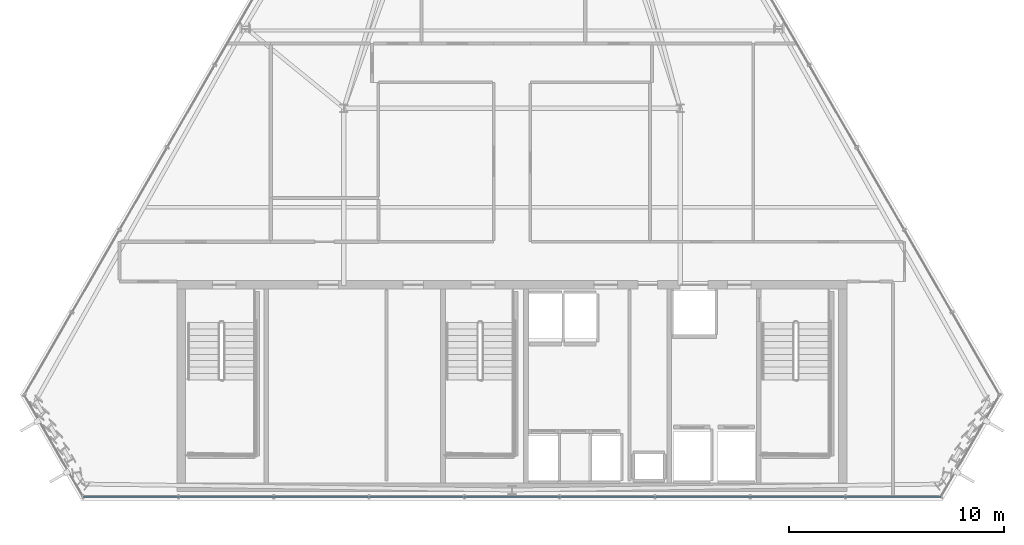
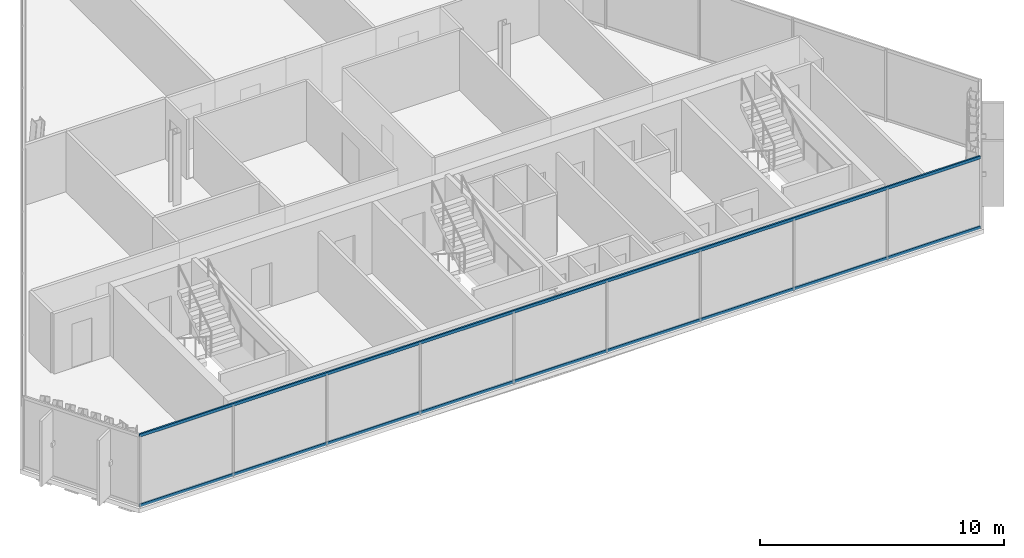
# One storey, part 9 of 34: 2 members, 1 element without a shape of its own.
"""IFC4 building model written with IfcOpenShell, lengths in metres."""

from ifc_helpers import new_model, si_unit, direction, frame, origin, origin_2d, place, context, subcontext, project, spatial, hollow_rectangle, extrude, material, layer, layer_set, material_profile, profile_set, type_object, element, aggregate, save


model = new_model("IFC4")

# Units and contexts
model_context = context("Model", 3, precision=1e-05, world=origin(), true_north=direction((0.0, 1.0)))
body_context = subcontext(model_context, "Body", "Model", "MODEL_VIEW")
ifc_project = project(units=[si_unit("LENGTHUNIT", "METRE"), si_unit("AREAUNIT", "SQUARE_METRE"), si_unit("VOLUMEUNIT", "CUBIC_METRE"), si_unit("PLANEANGLEUNIT", "RADIAN"), si_unit("MASSUNIT", "GRAM", prefix="KILO")], contexts=[model_context])

# Site, building, storey
site_placement = place(None, origin())
site = spatial("IfcSite", under=ifc_project, at=site_placement, CompositionType="ELEMENT")
building_placement = place(site_placement, origin())
building = spatial("IfcBuilding", under=site, at=building_placement, Name="Ndaravel Arena Tower", CompositionType="ELEMENT")
storey_placement = place(building_placement, frame((0.0, 0.0, 267.39990234375)))
storey = spatial("IfcBuildingStorey", under=building, at=storey_placement, Name="L65", CompositionType="ELEMENT", Elevation=267.39990234375)

# Curtain wall, members
ifc_material_1 = material(Name="Aluminium", Category="aluminium")
ifc_layer = layer(ifc_material_1, 0.179931640625)
ifc_layer_set = layer_set([ifc_layer], Name="Aluminium")
curtain_wall_type = type_object("IfcCurtainWallType", Name="CW-SYS-03", PredefinedType="NOTDEFINED", material=ifc_layer_set)
curtain_wall_placement = place(storey_placement, origin())
curtain_wall = element("IfcCurtainWall", 1, at=curtain_wall_placement, inside=storey, type_object=curtain_wall_type, Name="L65 Faceted Crystal Curtain Wall CW-L65-E01", PredefinedType="NOTDEFINED")
ifc_material_2 = material(Name="Aluminium", Category="aluminium")
ifc_material_profile = material_profile(ifc_material_2, hollow_rectangle(XDim=0.074951171875, YDim=0.14990234375, WallThickness=0.00390625, at=origin_2d()), Name="CW TRANSOM 75x150x4")
ifc_profile_set = profile_set([ifc_material_profile], Name="Aluminium")
member_type = type_object("IfcMemberType", Name="MEM-CW-TRN150", PredefinedType="USERDEFINED", material=ifc_profile_set)
member_1_placement = place(storey_placement, frame((22.09912109375, 5.159912109375, 0.0400390625), z_axis=(1.0, 0.0, 0.0), x_axis=(0.0, 1.0, 0.0)))
member_1 = element("IfcMember", 2, at=member_1_placement, type_object=member_type, Name="CW-L65-E01 Transom 01", ObjectType="TRANSOM", PredefinedType="USERDEFINED", context=body_context, shape_type="SweptSolid", body=[
    extrude(hollow_rectangle(XDim=0.074951171875, YDim=0.14990234375, WallThickness=0.00390625, at=origin_2d()), origin(), (0.0, 0.0, 1.0), 39.8017578125),
])
member_2_placement = place(storey_placement, frame((22.09912109375, 5.159912109375, 3.5400390625), z_axis=(1.0, 0.0, 0.0), x_axis=(0.0, 1.0, 0.0)))
member_2 = element("IfcMember", 3, at=member_2_placement, type_object=member_type, Name="CW-L65-E01 Transom 02", ObjectType="TRANSOM", PredefinedType="USERDEFINED", context=body_context, shape_type="SweptSolid", body=[
    extrude(hollow_rectangle(XDim=0.074951171875, YDim=0.14990234375, WallThickness=0.00390625, at=origin_2d()), origin(), (0.0, 0.0, 1.0), 39.8017578125),
])
aggregate(curtain_wall, [member_1, member_2])

save(model, "model.ifc")
